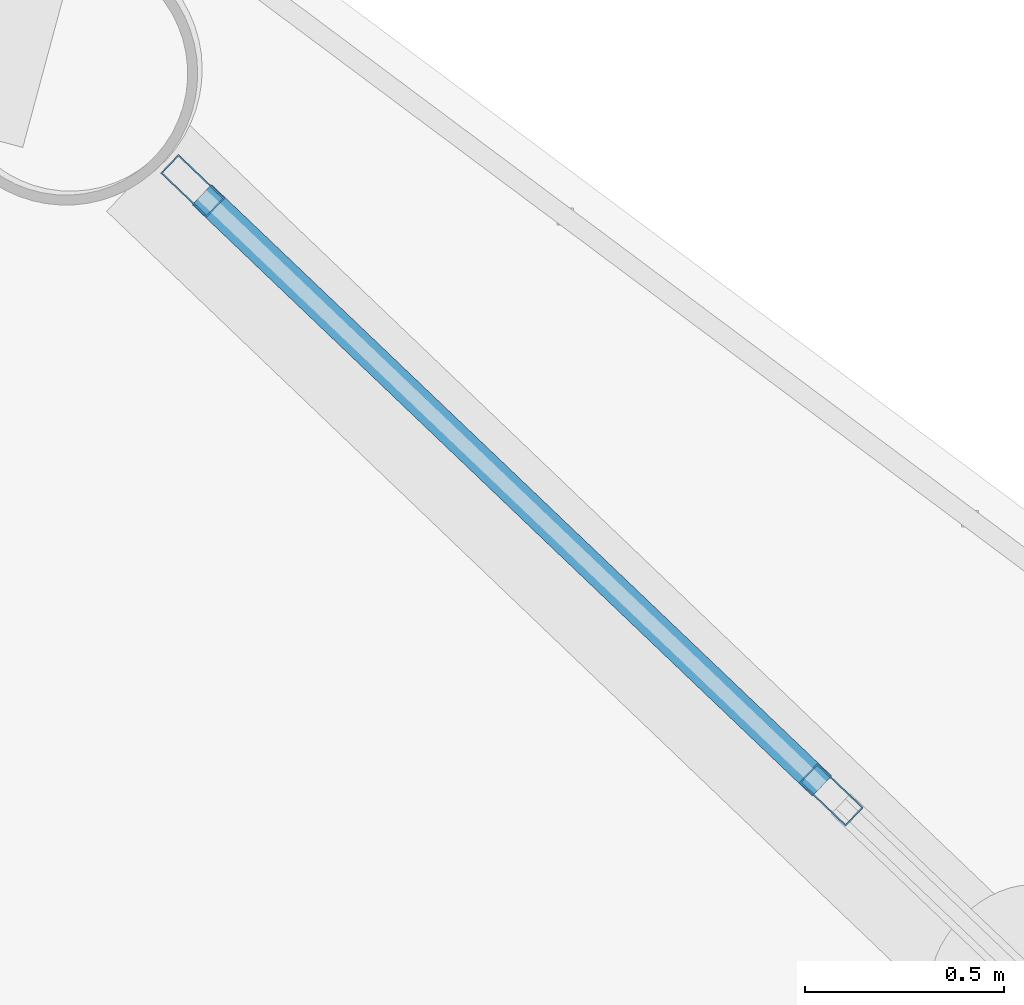
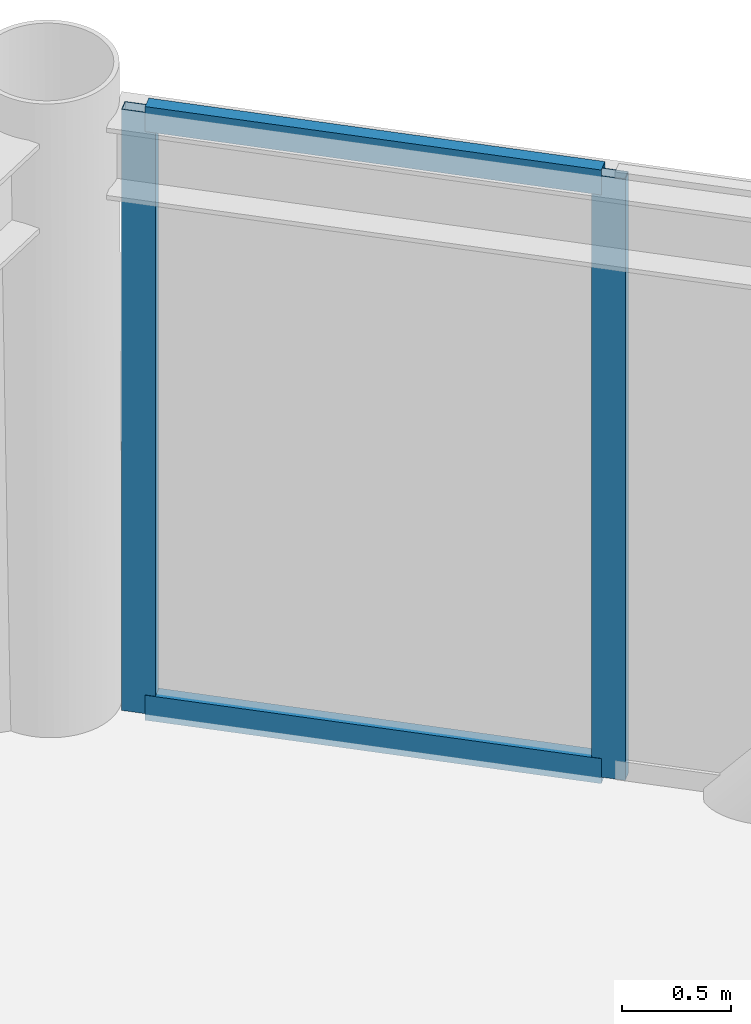
# One storey, part 22 of 28: 4 members, 1 element without a shape of its own.
"""IFC4 building model written with IfcOpenShell, lengths in metres."""

import ifcopenshell
import ifcopenshell.guid

model = None  # the IFC model being written
_history = None  # IfcOwnerHistory: only IFC2X3 demands one
_inside = {}  # id of a spatial element -> (the spatial element, [elements in it])
_under = {}  # id of a project, library or spatial element -> (it, [spatial elements below it])
_declared = {}  # id of a project -> (the project, [libraries it declares])
_typed = {}  # id of a type object -> (the type object, [elements of that type])
_made_of = {}  # id of a material, layer set ... -> (it, [elements and type objects made of it])


def new_model(schema):
    """Start an empty IFC model of exactly this schema.

    Asked for "IFC4X3", IfcOpenShell would pick the latest addendum, in which some entities
    have other attributes; the version numbers below select the first issue.
    IFC2X3 requires an IfcOwnerHistory on every rooted entity: one is made here for all.
    """
    global model, _history
    if schema == "IFC4X3":
        model = ifcopenshell.file(schema_version=(4, 3, 0, 0))
    else:
        model = ifcopenshell.file(schema=schema)
    _inside.clear()
    _under.clear()
    _declared.clear()
    _typed.clear()
    _made_of.clear()
    _history = None
    if model.schema == "IFC2X3":
        org = make("IfcOrganization", Name="unknown")
        user = make(
            "IfcPersonAndOrganization",
            ThePerson=make("IfcPerson", FamilyName="unknown"),
            TheOrganization=org,
        )
        app = make(
            "IfcApplication",
            ApplicationDeveloper=org,
            Version="unknown",
            ApplicationFullName="unknown",
            ApplicationIdentifier="unknown",
        )
        _history = make(
            "IfcOwnerHistory",
            OwningUser=user,
            OwningApplication=app,
            ChangeAction="ADDED",
            CreationDate=0,
        )
    return model


def make(cls, **values):
    """One entity of the class cls with the attributes given. An attribute that is None is left unset."""
    return model.create_entity(
        cls, **{name: value for name, value in values.items() if value is not None}
    )


def rooted(cls, **values):
    """An entity with a GlobalId (a new one), such as an element, a storey or a relation."""
    return make(cls, GlobalId=ifcopenshell.guid.new(), OwnerHistory=_history, **values)


def si_unit(unit_type, name, prefix=None):
    """IfcSIUnit, for example si_unit("LENGTHUNIT", "METRE", prefix="MILLI")."""
    return make("IfcSIUnit", UnitType=unit_type, Prefix=prefix, Name=name)


def assignment(units):
    """IfcUnitAssignment: the units of a project."""
    return None if units is None else make("IfcUnitAssignment", Units=units)


def point(xyz):
    """IfcCartesianPoint."""
    return None if xyz is None else make("IfcCartesianPoint", Coordinates=xyz)


def direction(xyz):
    """IfcDirection."""
    return None if xyz is None else make("IfcDirection", DirectionRatios=xyz)


def frame(location, z_axis=None, x_axis=None):
    """IfcAxis2Placement3D, a coordinate frame: its origin and axes. An axis left out is left unset."""
    return make(
        "IfcAxis2Placement3D",
        Location=point(location),
        Axis=direction(z_axis),
        RefDirection=direction(x_axis),
    )


def frame_2d(location, x_axis=None):
    """IfcAxis2Placement2D, a coordinate frame in the plane: its origin and x axis."""
    return make(
        "IfcAxis2Placement2D", Location=point(location), RefDirection=direction(x_axis)
    )


def origin():
    """The frame at (0, 0, 0) with its axes left unset."""
    return frame((0.0, 0.0, 0.0))


def origin_2d():
    """The frame at (0, 0) in the plane with its x axis left unset."""
    return frame_2d((0.0, 0.0))


def place(relative_to, where):
    """IfcLocalPlacement: puts the frame where relative to a parent placement (None: the world)."""
    return make(
        "IfcLocalPlacement", PlacementRelTo=relative_to, RelativePlacement=where
    )


def context(
    kind, dimensions, precision=None, world=None, true_north=None, identifier=None
):
    """IfcGeometricRepresentationContext, for example the 3D "Model" context."""
    return make(
        "IfcGeometricRepresentationContext",
        ContextIdentifier=identifier,
        ContextType=kind,
        CoordinateSpaceDimension=dimensions,
        Precision=precision,
        WorldCoordinateSystem=world,
        TrueNorth=true_north,
    )


def subcontext(parent, identifier, kind, view, scale=None):
    """IfcGeometricRepresentationSubContext, for example "Body" below "Model"."""
    return make(
        "IfcGeometricRepresentationSubContext",
        ContextIdentifier=identifier,
        ContextType=kind,
        ParentContext=parent,
        TargetScale=scale,
        TargetView=view,
    )


def project(units=None, contexts=None):
    """IfcProject with its units and contexts."""
    return rooted(
        "IfcProject",
        Name="project",
        RepresentationContexts=contexts,
        UnitsInContext=assignment(units),
    )


def spatial(cls, under=None, at=None, **own):
    """A site, building, storey or space (cls), placed at a placement, below another one or the project."""
    s = rooted(cls, ObjectPlacement=at, **own)
    if under is not None:
        _under.setdefault(under.id(), (under, []))[1].append(s)
    return s


def profile(cls, at=None, kind="AREA", **sizes):
    """A parametric profile (cls). Its sizes go by their IFC names, for example OverallWidth=200.0."""
    return make(cls, ProfileType=kind, Position=at, **sizes)


def hollow_rectangle(**sizes):
    """IfcRectangleHollowProfileDef."""
    return profile("IfcRectangleHollowProfileDef", **sizes)


def extrude(swept, where, along, depth):
    """IfcExtrudedAreaSolid: the profile swept, set in the frame where, extruded along a direction by depth."""
    return make(
        "IfcExtrudedAreaSolid",
        SweptArea=swept,
        Position=where,
        ExtrudedDirection=direction(along),
        Depth=depth,
    )


def shape(context_of_items, identifier, shape_type, items):
    """IfcShapeRepresentation: the items that make up one representation, for example the "Body"."""
    return make(
        "IfcShapeRepresentation",
        ContextOfItems=context_of_items,
        RepresentationIdentifier=identifier,
        RepresentationType=shape_type,
        Items=items,
    )


def material(Name=None, Category=None):
    """IfcMaterial."""
    return make("IfcMaterial", Name=Name, Category=Category)


def layer(
    of_material, thickness, ventilated=None, Name=None, Category=None, Priority=None
):
    """IfcMaterialLayer: one layer of a wall or slab, of a material (None: an air gap)."""
    return make(
        "IfcMaterialLayer",
        Material=of_material,
        LayerThickness=thickness,
        IsVentilated=ventilated,
        Name=Name,
        Category=Category,
        Priority=Priority,
    )


def layer_set(layers, Name=None):
    """IfcMaterialLayerSet."""
    return make("IfcMaterialLayerSet", MaterialLayers=layers, LayerSetName=Name)


def material_profile(
    of_material, cross_section, Name=None, Category=None, Priority=None
):
    """IfcMaterialProfile: a cross section and its material."""
    return make(
        "IfcMaterialProfile",
        Name=Name,
        Material=of_material,
        Profile=cross_section,
        Priority=Priority,
        Category=Category,
    )


def profile_set(profiles, Name=None, composite=None):
    """IfcMaterialProfileSet."""
    return make(
        "IfcMaterialProfileSet",
        Name=Name,
        MaterialProfiles=profiles,
        CompositeProfile=composite,
    )


def made_of(thing, what):
    """Note that an element or type object is made of a material, layer set ...; save() writes the relation."""
    if what is not None:
        _made_of.setdefault(what.id(), (what, []))[1].append(thing)
    return thing


def type_object(cls, material=None, **own):
    """A type object (cls), such as IfcWallType, which elements share."""
    return made_of(rooted(cls, **own), material)


def element(
    cls,
    number,
    at=None,
    inside=None,
    cuts=None,
    type_object=None,
    material=None,
    context=None,
    identifier="Body",
    shape_type=None,
    held_by="IfcProductDefinitionShape",
    body=None,
    shapes=None,
    **own,
):
    """One element of the class cls, such as IfcWall. Its Tag is "e" and its number.

    at: its placement. inside: the storey or other place that contains it. cuts: it is an
    opening in that element (IfcRelVoidsElement). A single representation is given by context,
    identifier, shape_type and body (its items); several are given by shapes. held_by: the class
    of the entity that holds the representations. save() writes the other relations.
    """
    e = rooted(cls, Tag="e%d" % number, ObjectPlacement=at, **own)
    if body is not None:
        shapes = [shape(context, identifier, shape_type, body)]
    if shapes is not None:
        e.Representation = make(held_by, Representations=shapes)
    if inside is not None:
        _inside.setdefault(inside.id(), (inside, []))[1].append(e)
    if cuts is not None:
        rooted(
            "IfcRelVoidsElement", RelatingBuildingElement=cuts, RelatedOpeningElement=e
        )
    if type_object is not None:
        _typed.setdefault(type_object.id(), (type_object, []))[1].append(e)
    return made_of(e, material)


def aggregate(whole, parts):
    """IfcRelAggregates: a whole, such as a stair, and the parts it consists of."""
    return rooted("IfcRelAggregates", RelatingObject=whole, RelatedObjects=parts)


def save(model, path):
    """Write the relations noted so far, then the file.

    IfcRelAggregates (storeys below a building ...), IfcRelContainedInSpatialStructure (elements
    in a storey), IfcRelDefinesByType, IfcRelAssociatesMaterial and IfcRelDeclares: one each for
    every whole, place, type object, material and project.
    """
    for whole, parts in _under.values():
        aggregate(whole, parts)
    for where, things in _inside.values():
        rooted(
            "IfcRelContainedInSpatialStructure",
            RelatedElements=things,
            RelatingStructure=where,
        )
    for kind, things in _typed.values():
        rooted("IfcRelDefinesByType", RelatedObjects=things, RelatingType=kind)
    for what, things in _made_of.values():
        rooted("IfcRelAssociatesMaterial", RelatedObjects=things, RelatingMaterial=what)
    for by, libraries in _declared.values():
        rooted("IfcRelDeclares", RelatingContext=by, RelatedDefinitions=libraries)
    model.write(path)


model = new_model("IFC4")

# Units and contexts
model_context = context("Model", 3, precision=1e-05, world=origin(), true_north=direction((0.0, 1.0)))
body_context = subcontext(model_context, "Body", "Model", "MODEL_VIEW")
ifc_project = project(units=[si_unit("LENGTHUNIT", "METRE"), si_unit("AREAUNIT", "SQUARE_METRE"), si_unit("VOLUMEUNIT", "CUBIC_METRE"), si_unit("PLANEANGLEUNIT", "RADIAN"), si_unit("MASSUNIT", "GRAM", prefix="KILO")], contexts=[model_context])

# Site, building, storey
site_placement = place(None, origin())
site = spatial("IfcSite", under=ifc_project, at=site_placement, CompositionType="ELEMENT")
building_placement = place(site_placement, origin())
building = spatial("IfcBuilding", under=site, at=building_placement, Name="Varnakorn Sky Granary", CompositionType="ELEMENT")
storey_placement = place(building_placement, frame((0.0, 0.0, 196.800048828125)))
storey = spatial("IfcBuildingStorey", under=building, at=storey_placement, Name="L49", CompositionType="ELEMENT", Elevation=196.800048828125)

# Curtain wall, members
ifc_material = material(Name="Anodised Bronze Aluminium Alloy 6063-T6", Category="aluminium")
ifc_layer = layer(ifc_material, 0.169921875, Name="Anodised Bronze Aluminium Alloy 6063-T6")
ifc_layer_set = layer_set([ifc_layer], Name="Anodised Bronze Aluminium Alloy 6063-T6")
curtain_wall_type = type_object("IfcCurtainWallType", Name="CW-LAB-1", PredefinedType="USERDEFINED", material=ifc_layer_set)
curtain_wall_placement = place(storey_placement, origin())
curtain_wall = element("IfcCurtainWall", 1, at=curtain_wall_placement, inside=storey, type_object=curtain_wall_type, Name="Unitised Curtain Wall CW5 CW-L49-B02", ObjectType="CURTAIN WALL", PredefinedType="USERDEFINED")
ifc_material_profile_1 = material_profile(ifc_material, hollow_rectangle(XDim=0.06494140625, YDim=0.159912109375, WallThickness=0.00341796875, at=origin_2d()), Name="ALU MULL 65x160")
ifc_profile_set_1 = profile_set([ifc_material_profile_1], Name="Anodised Bronze Aluminium Alloy 6063-T6")
member_type_1 = type_object("IfcMemberType", Name="CW-LAB-1-MULL", PredefinedType="MULLION", material=ifc_profile_set_1)
member_1_placement = place(storey_placement, frame((14.810302734375, 15.65380859375, 0.0), z_axis=(0.0, 0.0, 1.0), x_axis=(0.690097158605, 0.723716734424, 0.0)))
member_1 = element("IfcMember", 2, at=member_1_placement, type_object=member_type_1, Name="CW5 mullion 1", PredefinedType="MULLION", context=body_context, shape_type="SweptSolid", body=[
    extrude(hollow_rectangle(XDim=0.06494140625, YDim=0.159912109375, WallThickness=0.00341796875, at=origin_2d()), origin(), (0.0, 0.0, 1.0), 3.35986328125),
])
member_2_placement = place(storey_placement, frame((16.41259765625, 14.1259765625, 0.0), z_axis=(0.0, 0.0, 1.0), x_axis=(0.690097158605, 0.723716734424, 0.0)))
member_2 = element("IfcMember", 3, at=member_2_placement, type_object=member_type_1, Name="CW5 mullion 2", PredefinedType="MULLION", context=body_context, shape_type="SweptSolid", body=[
    extrude(hollow_rectangle(XDim=0.06494140625, YDim=0.159912109375, WallThickness=0.00341796875, at=origin_2d()), origin(), (0.0, 0.0, 1.0), 3.35986328125),
])
ifc_material_profile_2 = material_profile(ifc_material, hollow_rectangle(XDim=0.070068359375, YDim=0.139892578125, WallThickness=0.00341796875, at=origin_2d()), Name="ALU TRAN 70x140")
ifc_profile_set_2 = profile_set([ifc_material_profile_2], Name="Anodised Bronze Aluminium Alloy 6063-T6")
member_type_2 = type_object("IfcMemberType", Name="CW-LAB-1-TRAN", PredefinedType="USERDEFINED", material=ifc_profile_set_2)
member_3_placement = place(storey_placement, frame((14.833740234375, 15.63134765625, 0.034912109375), z_axis=(0.723721709612, -0.690091941002, 0.0), x_axis=(0.690091941002, 0.723721709612, 0.0)))
member_3 = element("IfcMember", 4, at=member_3_placement, type_object=member_type_2, Name="CW5 transom 1.1", ObjectType="TRANSOM", PredefinedType="USERDEFINED", context=body_context, shape_type="SweptSolid", body=[
    extrude(hollow_rectangle(XDim=0.070068359375, YDim=0.139892578125, WallThickness=0.00341796875, at=origin_2d()), origin(), (0.0, 0.0, 1.0), 2.14892578125),
])
member_4_placement = place(storey_placement, frame((14.833740234375, 15.63134765625, 3.324951171875), z_axis=(0.723721709612, -0.690091941002, 0.0), x_axis=(0.690091941002, 0.723721709612, 0.0)))
member_4 = element("IfcMember", 5, at=member_4_placement, type_object=member_type_2, Name="CW5 transom 1.2", ObjectType="TRANSOM", PredefinedType="USERDEFINED", context=body_context, shape_type="SweptSolid", body=[
    extrude(hollow_rectangle(XDim=0.070068359375, YDim=0.139892578125, WallThickness=0.00341796875, at=origin_2d()), origin(), (0.0, 0.0, 1.0), 2.14892578125),
])
aggregate(curtain_wall, [member_1, member_2, member_3, member_4])

save(model, "model.ifc")
